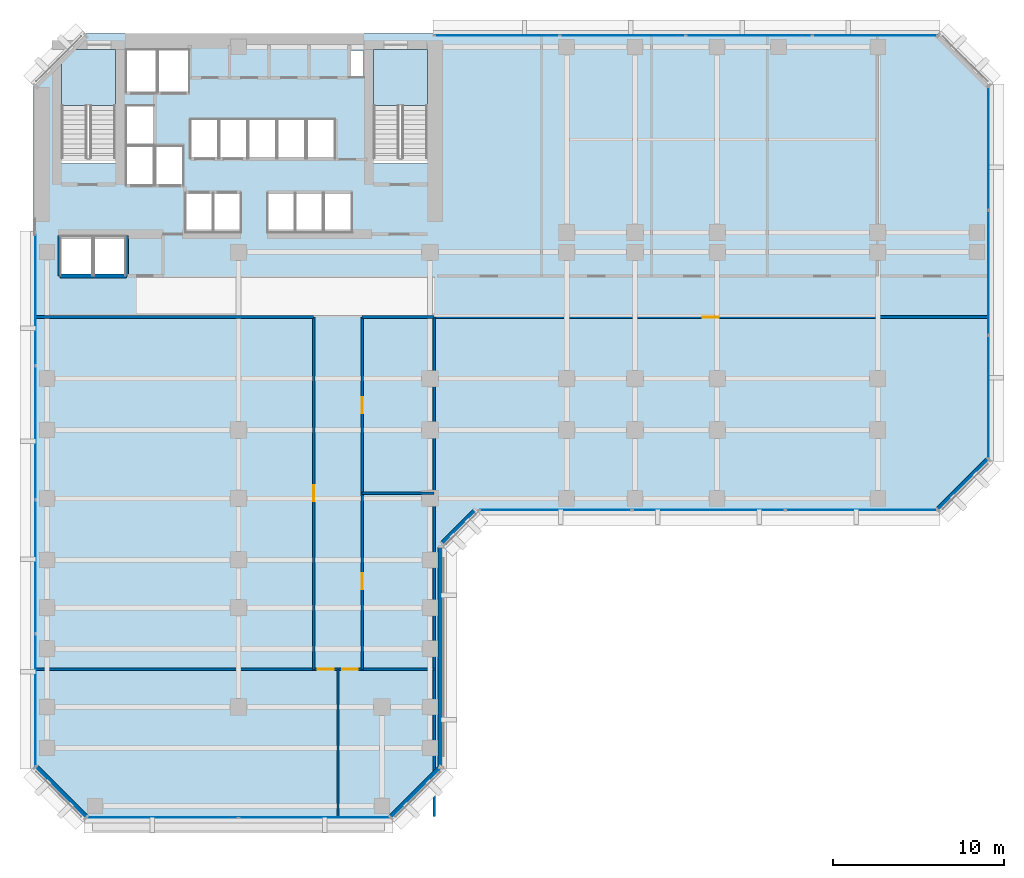
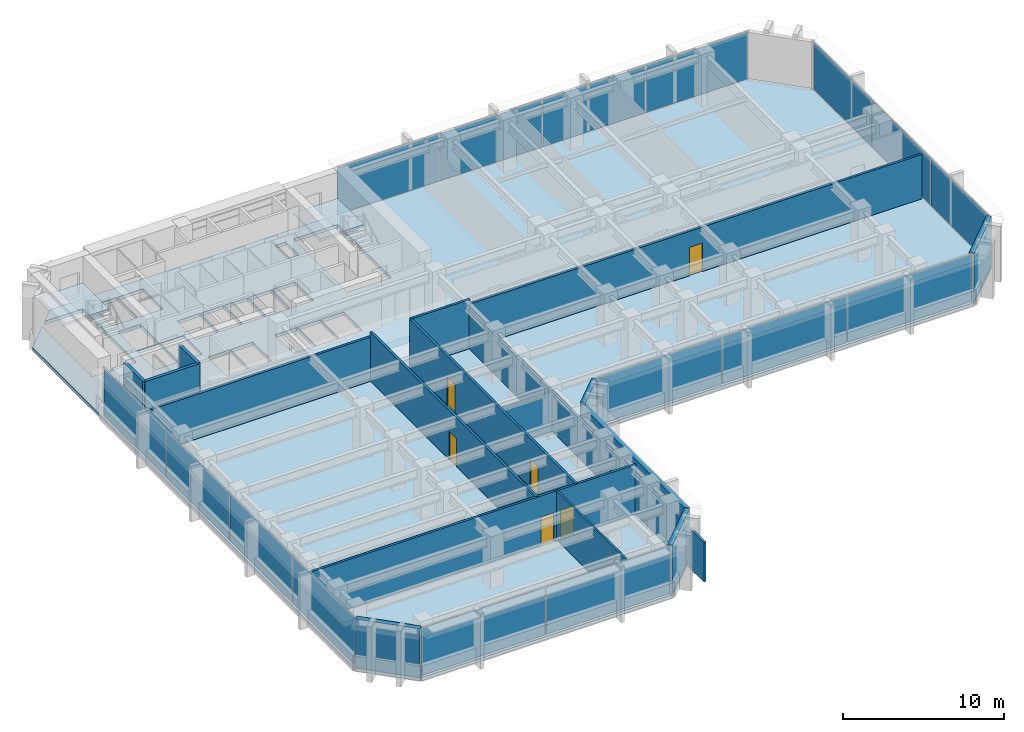
# One storey, part 6 of 13: 17 walls, 16 plates, 6 doors, 3 slabs, 6 openings, 7 elements without a shape of their own.
"""IFC4 building model written with IfcOpenShell, lengths in metres."""

from ifc_helpers import new_model, si_unit, direction, frame, frame_2d, origin, origin_2d, place, context, subcontext, project, spatial, polyline, rectangle, outline, extrude, material, layer, layer_set, type_object, element, fill, aggregate, save


model = new_model("IFC4")

# Units and contexts
model_context = context("Model", 3, precision=1e-05, world=origin(), true_north=direction((0.0, 1.0)))
body_context = subcontext(model_context, "Body", "Model", "MODEL_VIEW")
ifc_project = project(units=[si_unit("LENGTHUNIT", "METRE"), si_unit("AREAUNIT", "SQUARE_METRE"), si_unit("VOLUMEUNIT", "CUBIC_METRE"), si_unit("PLANEANGLEUNIT", "RADIAN"), si_unit("MASSUNIT", "GRAM", prefix="KILO")], contexts=[model_context])

# Site, building, storey
site_placement = place(None, origin())
site = spatial("IfcSite", under=ifc_project, at=site_placement, CompositionType="ELEMENT")
building_placement = place(site_placement, origin())
building = spatial("IfcBuilding", under=site, at=building_placement, Name="Kefirva Bronze Tower", CompositionType="ELEMENT")
storey_placement = place(building_placement, frame((0.0, 0.0, 73.919921875)))
storey = spatial("IfcBuildingStorey", under=building, at=storey_placement, Name="L17", CompositionType="ELEMENT", Elevation=73.919921875)

# Stair, slab
ifc_material_1 = material(Name="Concrete C40/50", Category="concrete")
stair_type = type_object("IfcStairType", Name="RC Dogleg Protected Stair 24R", PredefinedType="HALF_TURN_STAIR", material=ifc_material_1)
stair_1_placement = place(storey_placement, origin())
stair_1 = element("IfcStair", 1, at=stair_1_placement, inside=storey, type_object=stair_type, Name="L17 Protected Exit Stair 1", PredefinedType="HALF_TURN_STAIR")
ifc_layer_1 = layer(ifc_material_1, 0.199951171875, Name="Concrete C40/50")
ifc_layer_set_1 = layer_set([ifc_layer_1], Name="Concrete C40/50")
slab_type_1 = type_object("IfcSlabType", Name="RC Stair Landing Slab 200mm", PredefinedType="LANDING", material=ifc_layer_set_1)
slab_1_placement = place(storey_placement, frame((0.0, 0.0, 1.780029296875)))
slab_1 = element("IfcSlab", 2, at=slab_1_placement, type_object=slab_type_1, Name="ST-1 landing 1", PredefinedType="LANDING", context=body_context, shape_type="SweptSolid", body=[
    extrude(outline(polyline([(4.800048828125, 41.780029296875), (4.800048828125, 45.050048828125), (1.64990234375, 45.050048828125), (1.64990234375, 41.780029296875), (4.800048828125, 41.780029296875)])), origin(), (0.0, 0.0, 1.0), 0.199951171875),
])
aggregate(stair_1, [slab_1])

stair_2_placement = place(storey_placement, origin())
stair_2 = element("IfcStair", 3, at=stair_2_placement, inside=storey, type_object=stair_type, Name="L17 Protected Exit Stair 2", PredefinedType="HALF_TURN_STAIR")
slab_2_placement = place(storey_placement, frame((0.0, 0.0, 1.780029296875)))
slab_2 = element("IfcSlab", 4, at=slab_2_placement, type_object=slab_type_1, Name="ST-2 landing 1", PredefinedType="LANDING", context=body_context, shape_type="SweptSolid", body=[
    extrude(outline(polyline([(23.050048828125, 41.780029296875), (23.050048828125, 45.050048828125), (19.89990234375, 45.050048828125), (19.89990234375, 41.780029296875), (23.050048828125, 41.780029296875)])), origin(), (0.0, 0.0, 1.0), 0.199951171875),
])
aggregate(stair_2, [slab_2])

# Slab
ifc_layer_2 = layer(ifc_material_1, 0.25, Name="Concrete C40/50")
ifc_layer_set_2 = layer_set([ifc_layer_2], Name="Concrete C40/50")
slab_type_2 = type_object("IfcSlabType", Name="RC Tower Floor Slab 250mm", PredefinedType="FLOOR", material=ifc_layer_set_2)
slab_3_placement = place(storey_placement, frame((0.0, 0.0, -0.25)))
element("IfcSlab", 5, at=slab_3_placement, inside=storey, type_object=slab_type_2, Name="L17 Structural Floor Slab", PredefinedType="FLOOR", context=body_context, shape_type="SweptSolid", body=[
    extrude(outline(polyline([(0.0, 3.0), (0.0, 43.0), (1.64990234375, 44.64990234375), (1.64990234375, 38.39990234375), (4.800048828125, 38.39990234375), (4.800048828125, 45.050048828125), (2.050048828125, 45.050048828125), (3.0, 46.0), (53.0, 46.0), (56.0, 43.0), (56.0, 21.0), (53.0, 18.0), (26.0, 18.0), (24.0, 16.0), (24.0, 3.0), (21.0, 0.0), (3.0, 0.0), (0.0, 3.0)]), holes=[polyline([(19.89990234375, 38.39990234375), (23.050048828125, 38.39990234375), (23.050048828125, 45.050048828125), (19.89990234375, 45.050048828125), (19.89990234375, 38.39990234375)]), polyline([(18.52001953125, 43.419921875), (19.320068359375, 43.419921875), (19.320068359375, 45.0), (18.52001953125, 45.0), (18.52001953125, 43.419921875)]), polyline([(17.0, 34.35009765625), (18.64990234375, 34.35009765625), (18.64990234375, 36.64990234375), (17.0, 36.64990234375), (17.0, 34.35009765625)]), polyline([(17.64990234375, 38.679931640625), (17.64990234375, 40.97998046875), (16.0, 40.97998046875), (16.0, 38.679931640625), (17.64990234375, 38.679931640625)]), polyline([(16.949951171875, 34.35009765625), (16.949951171875, 36.64990234375), (15.35009765625, 36.64990234375), (15.35009765625, 34.35009765625), (16.949951171875, 34.35009765625)]), polyline([(15.929931640625, 38.679931640625), (15.929931640625, 40.97998046875), (14.300048828125, 40.97998046875), (14.300048828125, 38.679931640625), (15.929931640625, 38.679931640625)]), polyline([(15.300048828125, 34.35009765625), (15.300048828125, 36.64990234375), (13.699951171875, 36.64990234375), (13.699951171875, 34.35009765625), (15.300048828125, 34.35009765625)]), polyline([(14.22998046875, 38.679931640625), (14.22998046875, 40.97998046875), (12.60009765625, 40.97998046875), (12.60009765625, 38.679931640625), (14.22998046875, 38.679931640625)]), polyline([(10.89990234375, 38.679931640625), (12.530029296875, 38.679931640625), (12.530029296875, 40.97998046875), (10.89990234375, 40.97998046875), (10.89990234375, 38.679931640625)]), polyline([(12.139892578125, 34.35009765625), (12.139892578125, 36.64990234375), (10.5400390625, 36.64990234375), (10.5400390625, 34.35009765625), (12.139892578125, 34.35009765625)]), polyline([(10.830078125, 38.679931640625), (10.830078125, 40.97998046875), (9.199951171875, 40.97998046875), (9.199951171875, 38.679931640625), (10.830078125, 38.679931640625)]), polyline([(10.5, 34.35009765625), (10.5, 36.64990234375), (8.89990234375, 36.64990234375), (8.89990234375, 34.35009765625), (10.5, 34.35009765625)]), polyline([(7.300048828125, 42.550048828125), (9.1201171875, 42.550048828125), (9.1201171875, 45.050048828125), (7.300048828125, 45.050048828125), (7.300048828125, 42.550048828125)]), polyline([(7.139892578125, 37.10009765625), (8.780029296875, 37.10009765625), (8.780029296875, 39.39990234375), (7.139892578125, 39.39990234375), (7.139892578125, 37.10009765625)]), polyline([(5.419921875, 42.550048828125), (7.239990234375, 42.550048828125), (7.239990234375, 45.050048828125), (5.419921875, 45.050048828125), (5.419921875, 42.550048828125)]), polyline([(7.06005859375, 39.47998046875), (7.06005859375, 41.780029296875), (5.419921875, 41.780029296875), (5.419921875, 39.47998046875), (7.06005859375, 39.47998046875)]), polyline([(5.419921875, 37.10009765625), (7.06005859375, 37.10009765625), (7.06005859375, 39.39990234375), (5.419921875, 39.39990234375), (5.419921875, 37.10009765625)]), polyline([(5.39990234375, 31.85009765625), (5.39990234375, 34.14990234375), (3.550048828125, 34.14990234375), (3.550048828125, 31.85009765625), (5.39990234375, 31.85009765625)]), polyline([(3.449951171875, 31.85009765625), (3.449951171875, 34.14990234375), (1.60009765625, 34.14990234375), (1.60009765625, 31.85009765625), (3.449951171875, 31.85009765625)])]), origin(), (0.0, 0.0, 1.0), 0.25),
])

# Curtain wall, plates
ifc_material_2 = material(Name="Bronze anodised aluminium", Category="aluminium")
ifc_layer_3 = layer(ifc_material_2, 0.199951171875, Name="Bronze anodised aluminium")
ifc_layer_set_3 = layer_set([ifc_layer_3], Name="Bronze anodised aluminium")
curtain_wall_type = type_object("IfcCurtainWallType", Name="Unitised Bronze Ribbon Curtain Wall Zone 1", PredefinedType="USERDEFINED", material=ifc_layer_set_3)
curtain_wall_1_placement = place(storey_placement, origin())
curtain_wall_1 = element("IfcCurtainWall", 6, at=curtain_wall_1_placement, inside=storey, type_object=curtain_wall_type, Name="L17 Curtain Wall 1", ObjectType="UNITISED CURTAIN WALL", PredefinedType="USERDEFINED")
ifc_material_3 = material(Name="Laminated low-E double glazing", Category="glass")
ifc_layer_4 = layer(ifc_material_3, 0.031982421875, Name="Laminated low-E double glazing")
ifc_layer_set_4 = layer_set([ifc_layer_4], Name="Laminated low-E double glazing")
plate_type = type_object("IfcPlateType", Name="Solar-Control Low-E Vision Panel 32mm", PredefinedType="CURTAIN_PANEL", material=ifc_layer_set_4)
plate_1_placement = place(storey_placement, frame((7.546142578125, 0.1201171875, 0.074951171875), z_axis=(0.0, 0.0, 1.0), x_axis=(1.0, 0.0, 0.0)))
plate_1 = element("IfcPlate", 7, at=plate_1_placement, type_object=plate_type, Name="CW-01 panel 1.1", PredefinedType="CURTAIN_PANEL", context=body_context, shape_type="SweptSolid", body=[
    extrude(rectangle(XDim=8.83251953125, YDim=0.031982421875, at=origin_2d()), origin(), (0.0, 0.0, 1.0), 3.56005859375),
])
plate_2_placement = place(storey_placement, frame((16.453857421875, 0.1201171875, 0.074951171875), z_axis=(0.0, 0.0, 1.0), x_axis=(1.0, 0.0, 0.0)))
plate_2 = element("IfcPlate", 8, at=plate_2_placement, type_object=plate_type, Name="CW-01 panel 2.1", PredefinedType="CURTAIN_PANEL", context=body_context, shape_type="SweptSolid", body=[
    extrude(rectangle(XDim=8.83251953125, YDim=0.031982421875, at=origin_2d()), origin(), (0.0, 0.0, 1.0), 3.56005859375),
])
aggregate(curtain_wall_1, [plate_1, plate_2])

curtain_wall_2_placement = place(storey_placement, origin())
curtain_wall_2 = element("IfcCurtainWall", 9, at=curtain_wall_2_placement, inside=storey, type_object=curtain_wall_type, Name="L17 Curtain Wall 2", ObjectType="UNITISED CURTAIN WALL", PredefinedType="USERDEFINED")
plate_3_placement = place(storey_placement, frame((30.555419921875, 18.1201171875, 0.074951171875), z_axis=(0.0, 0.0, 1.0), x_axis=(1.0, 0.0, 0.0)))
plate_3 = element("IfcPlate", 10, at=plate_3_placement, type_object=plate_type, Name="CW-01 panel 1.1", PredefinedType="CURTAIN_PANEL", context=body_context, shape_type="SweptSolid", body=[
    extrude(rectangle(XDim=8.850830078125, YDim=0.031982421875, at=origin_2d()), origin(), (0.0, 0.0, 1.0), 3.56005859375),
])
plate_4_placement = place(storey_placement, frame((39.5, 18.1201171875, 0.074951171875), z_axis=(0.0, 0.0, 1.0), x_axis=(1.0, 0.0, 0.0)))
plate_4 = element("IfcPlate", 11, at=plate_4_placement, type_object=plate_type, Name="CW-01 panel 2.1", PredefinedType="CURTAIN_PANEL", context=body_context, shape_type="SweptSolid", body=[
    extrude(rectangle(XDim=8.888427734375, YDim=0.031982421875, at=origin_2d()), origin(), (0.0, 0.0, 1.0), 3.56005859375),
])
plate_5_placement = place(storey_placement, frame((48.444580078125, 18.1201171875, 0.074951171875), z_axis=(0.0, 0.0, 1.0), x_axis=(1.0, 0.0, 0.0)))
plate_5 = element("IfcPlate", 12, at=plate_5_placement, type_object=plate_type, Name="CW-01 panel 3.1", PredefinedType="CURTAIN_PANEL", context=body_context, shape_type="SweptSolid", body=[
    extrude(rectangle(XDim=8.850830078125, YDim=0.031982421875, at=origin_2d()), origin(), (0.0, 0.0, 1.0), 3.56005859375),
])
aggregate(curtain_wall_2, [plate_3, plate_4, plate_5])

curtain_wall_3_placement = place(storey_placement, origin())
curtain_wall_3 = element("IfcCurtainWall", 13, at=curtain_wall_3_placement, inside=storey, type_object=curtain_wall_type, Name="L17 Curtain Wall 3", ObjectType="UNITISED CURTAIN WALL", PredefinedType="USERDEFINED")
plate_6_placement = place(storey_placement, frame((55.8798828125, 24.72216796875, 0.074951171875), z_axis=(0.0, 0.0, 1.0), x_axis=(0.0, 1.0, 0.0)))
plate_6 = element("IfcPlate", 14, at=plate_6_placement, type_object=plate_type, Name="CW-01 panel 1.1", PredefinedType="CURTAIN_PANEL", context=body_context, shape_type="SweptSolid", body=[
    extrude(rectangle(XDim=7.18408203125, YDim=0.031982421875, at=origin_2d()), origin(), (0.0, 0.0, 1.0), 3.56005859375),
])
plate_7_placement = place(storey_placement, frame((55.8798828125, 32.0, 0.074951171875), z_axis=(0.0, 0.0, 1.0), x_axis=(0.0, 1.0, 0.0)))
plate_7 = element("IfcPlate", 15, at=plate_7_placement, type_object=plate_type, Name="CW-01 panel 2.1", PredefinedType="CURTAIN_PANEL", context=body_context, shape_type="SweptSolid", body=[
    extrude(rectangle(XDim=7.2216796875, YDim=0.031982421875, at=origin_2d()), origin(), (0.0, 0.0, 1.0), 3.56005859375),
])
plate_8_placement = place(storey_placement, frame((55.8798828125, 39.27783203125, 0.074951171875), z_axis=(0.0, 0.0, 1.0), x_axis=(0.0, 1.0, 0.0)))
plate_8 = element("IfcPlate", 16, at=plate_8_placement, type_object=plate_type, Name="CW-01 panel 3.1", PredefinedType="CURTAIN_PANEL", context=body_context, shape_type="SweptSolid", body=[
    extrude(rectangle(XDim=7.18408203125, YDim=0.031982421875, at=origin_2d()), origin(), (0.0, 0.0, 1.0), 3.56005859375),
])
aggregate(curtain_wall_3, [plate_6, plate_7, plate_8])

curtain_wall_4_placement = place(storey_placement, origin())
curtain_wall_4 = element("IfcCurtainWall", 17, at=curtain_wall_4_placement, inside=storey, type_object=curtain_wall_type, Name="L17 Curtain Wall 4", ObjectType="UNITISED CURTAIN WALL", PredefinedType="USERDEFINED")
plate_9_placement = place(storey_placement, frame((49.233642578125, 45.8798828125, 0.074951171875), z_axis=(0.0, 0.0, 1.0), x_axis=(-1.0, 0.0, 0.0)))
plate_9 = element("IfcPlate", 18, at=plate_9_placement, type_object=plate_type, Name="CW-01 panel 1.1", PredefinedType="CURTAIN_PANEL", context=body_context, shape_type="SweptSolid", body=[
    extrude(rectangle(XDim=7.2724609375, YDim=0.031982421875, at=origin_2d()), origin(), (0.0, 0.0, 1.0), 3.56005859375),
])
plate_10_placement = place(storey_placement, frame((41.867431640625, 45.8798828125, 0.074951171875), z_axis=(0.0, 0.0, 1.0), x_axis=(-1.0, 0.0, 0.0)))
plate_10 = element("IfcPlate", 19, at=plate_10_placement, type_object=plate_type, Name="CW-01 panel 2.1", PredefinedType="CURTAIN_PANEL", context=body_context, shape_type="SweptSolid", body=[
    extrude(rectangle(XDim=7.31005859375, YDim=0.031982421875, at=origin_2d()), origin(), (0.0, 0.0, 1.0), 3.56005859375),
])
plate_11_placement = place(storey_placement, frame((34.482421875, 45.8798828125, 0.074951171875), z_axis=(0.0, 0.0, 1.0), x_axis=(-1.0, 0.0, 0.0)))
plate_11 = element("IfcPlate", 20, at=plate_11_placement, type_object=plate_type, Name="CW-01 panel 3.1", PredefinedType="CURTAIN_PANEL", context=body_context, shape_type="SweptSolid", body=[
    extrude(rectangle(XDim=7.31005859375, YDim=0.031982421875, at=origin_2d()), origin(), (0.0, 0.0, 1.0), 3.56005859375),
])
plate_12_placement = place(storey_placement, frame((27.1162109375, 45.8798828125, 0.074951171875), z_axis=(0.0, 0.0, 1.0), x_axis=(-1.0, 0.0, 0.0)))
plate_12 = element("IfcPlate", 21, at=plate_12_placement, type_object=plate_type, Name="CW-01 panel 4.1", PredefinedType="CURTAIN_PANEL", context=body_context, shape_type="SweptSolid", body=[
    extrude(rectangle(XDim=7.2724609375, YDim=0.031982421875, at=origin_2d()), origin(), (0.0, 0.0, 1.0), 3.56005859375),
])
aggregate(curtain_wall_4, [plate_9, plate_10, plate_11, plate_12])

curtain_wall_5_placement = place(storey_placement, origin())
curtain_wall_5 = element("IfcCurtainWall", 22, at=curtain_wall_5_placement, inside=storey, type_object=curtain_wall_type, Name="L17 Curtain Wall 5", ObjectType="UNITISED CURTAIN WALL", PredefinedType="USERDEFINED")
plate_13_placement = place(storey_placement, frame((0.1201171875, 30.458740234375, 0.074951171875), z_axis=(0.0, 0.0, 1.0), x_axis=(0.0, -1.0, 0.0)))
plate_13 = element("IfcPlate", 23, at=plate_13_placement, type_object=plate_type, Name="CW-01 panel 1.1", PredefinedType="CURTAIN_PANEL", context=body_context, shape_type="SweptSolid", body=[
    extrude(rectangle(XDim=7.722412109375, YDim=0.031982421875, at=origin_2d()), origin(), (0.0, 0.0, 1.0), 3.56005859375),
])
plate_14_placement = place(storey_placement, frame((0.1201171875, 22.642578125, 0.074951171875), z_axis=(0.0, 0.0, 1.0), x_axis=(0.0, -1.0, 0.0)))
plate_14 = element("IfcPlate", 24, at=plate_14_placement, type_object=plate_type, Name="CW-01 panel 2.1", PredefinedType="CURTAIN_PANEL", context=body_context, shape_type="SweptSolid", body=[
    extrude(rectangle(XDim=7.760009765625, YDim=0.031982421875, at=origin_2d()), origin(), (0.0, 0.0, 1.0), 3.56005859375),
])
plate_15_placement = place(storey_placement, frame((0.1201171875, 14.8076171875, 0.074951171875), z_axis=(0.0, 0.0, 1.0), x_axis=(0.0, -1.0, 0.0)))
plate_15 = element("IfcPlate", 25, at=plate_15_placement, type_object=plate_type, Name="CW-01 panel 3.1", PredefinedType="CURTAIN_PANEL", context=body_context, shape_type="SweptSolid", body=[
    extrude(rectangle(XDim=7.760009765625, YDim=0.031982421875, at=origin_2d()), origin(), (0.0, 0.0, 1.0), 3.56005859375),
])
plate_16_placement = place(storey_placement, frame((0.1201171875, 6.9912109375, 0.074951171875), z_axis=(0.0, 0.0, 1.0), x_axis=(0.0, -1.0, 0.0)))
plate_16 = element("IfcPlate", 26, at=plate_16_placement, type_object=plate_type, Name="CW-01 panel 4.1", PredefinedType="CURTAIN_PANEL", context=body_context, shape_type="SweptSolid", body=[
    extrude(rectangle(XDim=7.722412109375, YDim=0.031982421875, at=origin_2d()), origin(), (0.0, 0.0, 1.0), 3.56005859375),
])
aggregate(curtain_wall_5, [plate_13, plate_14, plate_15, plate_16])

# Walls
ifc_material_4 = material(Name="Gypsum acoustic partition")
ifc_layer_5 = layer(ifc_material_4, 0.1298828125, Name="Gypsum acoustic partition")
ifc_layer_set_5 = layer_set([ifc_layer_5], Name="Gypsum acoustic partition")
wall_type_1 = type_object("IfcWallType", Name="Acoustic Office Partition 130mm", PredefinedType="PARTITIONING", material=ifc_layer_set_5)
wall_1_placement = place(storey_placement, frame((17.820068359375, 0.18994140625, 0.0), z_axis=(0.0, 0.0, 1.0), x_axis=(0.0, 1.0, 0.0)))
element("IfcWall", 27, at=wall_1_placement, inside=storey, type_object=wall_type_1, Name="L17 Partition W-L17-CAPDV", PredefinedType="PARTITIONING", context=body_context, shape_type="SweptSolid", body=[
    extrude(rectangle(XDim=8.610107421875, YDim=0.1298828125, at=frame_2d((4.30517578125, 0.0))), origin(), (0.0, 0.0, 1.0), 3.7099609375),
])
wall_2_placement = place(storey_placement, frame((19.239990234375, 19.10009765625, 0.0), z_axis=(0.0, 0.0, 1.0), x_axis=(1.0, 0.0, 0.0)))
element("IfcWall", 28, at=wall_2_placement, inside=storey, type_object=wall_type_1, Name="L17 Partition W-L17-SED1", PredefinedType="PARTITIONING", context=body_context, shape_type="SweptSolid", body=[
    extrude(rectangle(XDim=4.2099609375, YDim=0.1298828125, at=frame_2d((2.10498046875, 0.0))), origin(), (0.0, 0.0, 1.0), 2.9951171875),
])
ifc_material_5 = material(Name="Gypsum fireboard shaftwall")
ifc_layer_6 = layer(ifc_material_5, 0.219970703125, Name="Gypsum fireboard shaftwall")
ifc_layer_set_6 = layer_set([ifc_layer_6], Name="Gypsum fireboard shaftwall")
wall_type_2 = type_object("IfcWallType", Name="Fire-Rated Shaft Enclosure Wall 220mm", PredefinedType="PARTITIONING", material=ifc_layer_set_6)
wall_3_placement = place(storey_placement, frame((1.550048828125, 31.800048828125, 0.0), z_axis=(0.0, 0.0, 1.0), x_axis=(1.0, 0.0, 0.0)))
element("IfcWall", 29, at=wall_3_placement, inside=storey, type_object=wall_type_2, Name="L17 Partition W-L17-OBS", PredefinedType="PARTITIONING", context=body_context, shape_type="SweptSolid", body=[
    extrude(rectangle(XDim=3.89990234375, YDim=0.219970703125, at=frame_2d((1.949951171875, 0.0))), origin(), (0.0, 0.0, 1.0), 3.7099609375),
])
for number, where, z_axis, x_axis, name in (
    (30, (1.550048828125, 31.800048828125, 0.0), (0.0, 0.0, 1.0), (0.0, 1.0, 0.0), "L17 Partition W-L17-OBW"),
    (31, (5.449951171875, 31.800048828125, 0.0), (0.0, 0.0, 1.0), (0.0, 1.0, 0.0), "L17 Partition W-L17-OBE"),
):
    element("IfcWall", number, at=place(storey_placement, frame(where, z_axis=z_axis, x_axis=x_axis)), inside=storey, type_object=wall_type_2, Name=name, PredefinedType="PARTITIONING", context=body_context, shape_type="SweptSolid", body=[
        extrude(rectangle(XDim=2.3798828125, YDim=0.219970703125, at=frame_2d((1.18994140625, 0.0))), origin(), (0.0, 0.0, 1.0), 3.7099609375),
    ])
ifc_material_6 = material(Name="Precast concrete C40/50", Category="concrete")
ifc_layer_7 = layer(ifc_material_6, 0.320068359375, Name="Precast concrete C40/50")
ifc_layer_set_7 = layer_set([ifc_layer_7], Name="Precast concrete C40/50")
wall_type_3 = type_object("IfcWallType", Name="Precast Insulated Exterior Wall 320mm", PredefinedType="SOLIDWALL", material=ifc_layer_set_7)
wall_4_placement = place(storey_placement, frame((20.92578125, 0.152099609375, 0.0), z_axis=(0.0, 0.0, 1.0), x_axis=(0.707106781187, 0.707106781187, 0.0)))
element("IfcWall", 32, at=wall_4_placement, inside=storey, type_object=wall_type_3, Name="L17 Exterior Facade Wall 1", PredefinedType="SOLIDWALL", context=body_context, shape_type="SweptSolid", body=[
    extrude(rectangle(XDim=4.132568359375, YDim=0.320068359375, at=frame_2d((2.06640625, 0.0))), origin(), (0.0, 0.0, 1.0), 3.7099609375),
])
wall_5_placement = place(storey_placement, frame((23.840087890625, 3.054931640625, 0.0), z_axis=(0.0, 0.0, 1.0), x_axis=(0.0, 1.0, 0.0)))
element("IfcWall", 33, at=wall_5_placement, inside=storey, type_object=wall_type_3, Name="L17 Exterior Facade Wall 2", PredefinedType="SOLIDWALL", context=body_context, shape_type="SweptSolid", body=[
    extrude(rectangle(XDim=12.89013671875, YDim=0.320068359375, at=frame_2d((6.445068359375, 0.0))), origin(), (0.0, 0.0, 1.0), 3.7099609375),
])
wall_6_placement = place(storey_placement, frame((23.92578125, 16.152099609375, 0.0), z_axis=(0.0, 0.0, 1.0), x_axis=(0.707106781187, 0.707106781187, 0.0)))
element("IfcWall", 34, at=wall_6_placement, inside=storey, type_object=wall_type_3, Name="L17 Exterior Facade Wall 3", PredefinedType="SOLIDWALL", context=body_context, shape_type="SweptSolid", body=[
    extrude(rectangle(XDim=2.71826171875, YDim=0.320068359375, at=frame_2d((1.359130859375, 0.0))), origin(), (0.0, 0.0, 1.0), 3.7099609375),
])
for number, where, z_axis, x_axis, name in (
    (35, (52.92578125, 18.152099609375, 0.0), (0.0, 0.0, 1.0), (0.707106781187, 0.707106781187, 0.0), "L17 Exterior Facade Wall 4"),
    (36, (0.152099609375, 3.07421875, 0.0), (0.0, 0.0, 1.0), (0.707106781187, -0.707106781187, 0.0), "L17 Exterior Facade Wall 7"),
):
    element("IfcWall", number, at=place(storey_placement, frame(where, z_axis=z_axis, x_axis=x_axis)), inside=storey, type_object=wall_type_3, Name=name, PredefinedType="SOLIDWALL", context=body_context, shape_type="SweptSolid", body=[
        extrude(rectangle(XDim=4.132568359375, YDim=0.320068359375, at=frame_2d((2.06640625, 0.0))), origin(), (0.0, 0.0, 1.0), 3.7099609375),
    ])

# Wall, opening, door
ifc_layer_8 = layer(ifc_material_4, 0.159912109375, Name="Gypsum acoustic partition")
ifc_layer_set_8 = layer_set([ifc_layer_8], Name="Gypsum acoustic partition")
wall_type_4 = type_object("IfcWallType", Name="Protected Corridor Partition 160mm", PredefinedType="PARTITIONING", material=ifc_layer_set_8)
wall_7_placement = place(storey_placement, frame((16.39990234375, 8.800048828125, 0.0), z_axis=(0.0, 0.0, 1.0), x_axis=(0.0, 1.0, 0.0)))
wall_7 = element("IfcWall", 37, at=wall_7_placement, inside=storey, type_object=wall_type_4, Name="L17 Partition W-L17-SWCORW", PredefinedType="PARTITIONING", context=body_context, shape_type="SweptSolid", body=[
    extrude(rectangle(XDim=20.599853515625, YDim=0.159912109375, at=frame_2d((10.2998046875, 0.0))), origin(), (0.0, 0.0, 1.0), 3.7099609375),
])
opening_1_placement = place(wall_7_placement, frame((10.77490234375, 0.0, 0.0), z_axis=(0.0, 0.0, 1.0), x_axis=(-1.0, 0.0, 0.0)))
opening_1 = element("IfcOpeningElement", 38, at=opening_1_placement, cuts=wall_7, Name="Opening L17-D-SW1", PredefinedType="OPENING", context=body_context, shape_type="SweptSolid", body=[
    extrude(rectangle(XDim=0.949951171875, YDim=2.14990234375, at=frame_2d((0.47509765625, 1.074951171875))), frame((0.0, 0.08984375, 0.0), z_axis=(0.0, -1.0, 0.0), x_axis=(1.0, 0.0, 0.0)), (0.0, 0.0, 1.0), 0.179931640625),
])
ifc_material_7 = material(Name="Acoustic hardwood oak", Category="wood")
door_type_1 = type_object("IfcDoorType", Name="Office & Meeting Room Door 950x2150", OperationType="NOTDEFINED", PredefinedType="DOOR", material=ifc_material_7)
door_1_placement = place(opening_1_placement, origin())
door_1 = element("IfcDoor", 39, at=door_1_placement, inside=storey, type_object=door_type_1, Name="Door L17-D-SW1", OperationType="SINGLE_SWING_LEFT", OverallHeight=2.14990234375, OverallWidth=0.949951171875, PredefinedType="DOOR", context=body_context, shape_type="SweptSolid", body=[
    extrude(rectangle(XDim=0.949951171875, YDim=2.14990234375, at=frame_2d((0.47509765625, 1.074951171875))), frame((0.0, 0.02490234375, 0.0), z_axis=(0.0, -1.0, 0.0), x_axis=(1.0, 0.0, 0.0)), (0.0, 0.0, 1.0), 0.050048828125),
])
fill(opening_1, door_1)

# Wall, openings, doors
wall_8_placement = place(storey_placement, frame((19.239990234375, 8.800048828125, 0.0), z_axis=(0.0, 0.0, 1.0), x_axis=(0.0, 1.0, 0.0)))
wall_8 = element("IfcWall", 40, at=wall_8_placement, inside=storey, type_object=wall_type_4, Name="L17 Partition W-L17-SECORE", PredefinedType="PARTITIONING", context=body_context, shape_type="SweptSolid", body=[
    extrude(rectangle(XDim=20.599853515625, YDim=0.159912109375, at=frame_2d((10.2998046875, 0.0))), origin(), (0.0, 0.0, 1.0), 3.7099609375),
])
opening_2_placement = place(wall_8_placement, frame((4.675048828125, 0.0, 0.0)))
opening_2 = element("IfcOpeningElement", 41, at=opening_2_placement, cuts=wall_8, Name="Opening L17-D-SE1", PredefinedType="OPENING", context=body_context, shape_type="SweptSolid", body=[
    extrude(rectangle(XDim=0.949951171875, YDim=2.14990234375, at=frame_2d((0.47509765625, 1.074951171875))), frame((0.0, 0.08984375, 0.0), z_axis=(0.0, -1.0, 0.0), x_axis=(1.0, 0.0, 0.0)), (0.0, 0.0, 1.0), 0.179931640625),
])
opening_3_placement = place(wall_8_placement, frame((14.97509765625, 0.0, 0.0)))
opening_3 = element("IfcOpeningElement", 42, at=opening_3_placement, cuts=wall_8, Name="Opening L17-D-SE2", PredefinedType="OPENING", context=body_context, shape_type="SweptSolid", body=[
    extrude(rectangle(XDim=0.949951171875, YDim=2.14990234375, at=frame_2d((0.47509765625, 1.074951171875))), frame((0.0, 0.08984375, 0.0), z_axis=(0.0, -1.0, 0.0), x_axis=(1.0, 0.0, 0.0)), (0.0, 0.0, 1.0), 0.179931640625),
])
door_2_placement = place(opening_2_placement, origin())
door_2 = element("IfcDoor", 43, at=door_2_placement, inside=storey, type_object=door_type_1, Name="Door L17-D-SE1", OperationType="SINGLE_SWING_RIGHT", OverallHeight=2.14990234375, OverallWidth=0.949951171875, PredefinedType="DOOR", context=body_context, shape_type="SweptSolid", body=[
    extrude(rectangle(XDim=0.949951171875, YDim=2.14990234375, at=frame_2d((0.47509765625, 1.074951171875))), frame((0.0, 0.02490234375, 0.0), z_axis=(0.0, -1.0, 0.0), x_axis=(1.0, 0.0, 0.0)), (0.0, 0.0, 1.0), 0.050048828125),
])
fill(opening_2, door_2)
door_3_placement = place(opening_3_placement, origin())
door_3 = element("IfcDoor", 44, at=door_3_placement, inside=storey, type_object=door_type_1, Name="Door L17-D-SE2", OperationType="SINGLE_SWING_LEFT", OverallHeight=2.14990234375, OverallWidth=0.949951171875, PredefinedType="DOOR", context=body_context, shape_type="SweptSolid", body=[
    extrude(rectangle(XDim=0.949951171875, YDim=2.14990234375, at=frame_2d((0.47509765625, 1.074951171875))), frame((0.0, 0.02490234375, 0.0), z_axis=(0.0, -1.0, 0.0), x_axis=(1.0, 0.0, 0.0)), (0.0, 0.0, 1.0), 0.050048828125),
])
fill(opening_3, door_3)

wall_9_placement = place(storey_placement, frame((0.18994140625, 8.800048828125, 0.0), z_axis=(0.0, 0.0, 1.0), x_axis=(1.0, 0.0, 0.0)))
wall_9 = element("IfcWall", 45, at=wall_9_placement, inside=storey, type_object=wall_type_4, Name="L17 Partition W-L17-SBEND", PredefinedType="PARTITIONING", context=body_context, shape_type="SweptSolid", body=[
    extrude(rectangle(XDim=23.260009765625, YDim=0.159912109375, at=frame_2d((11.6298828125, 0.0))), origin(), (0.0, 0.0, 1.0), 3.7099609375),
])
opening_4_placement = place(wall_9_placement, frame((16.4599609375, 0.0, 0.0)))
opening_4 = element("IfcOpeningElement", 46, at=opening_4_placement, cuts=wall_9, Name="Opening L17-D-SEND1", PredefinedType="OPENING", context=body_context, shape_type="SweptSolid", body=[
    extrude(rectangle(XDim=0.919921875, YDim=2.10009765625, at=frame_2d((0.4599609375, 1.050048828125))), frame((0.0, 0.08984375, 0.0), z_axis=(0.0, -1.0, 0.0), x_axis=(1.0, 0.0, 0.0)), (0.0, 0.0, 1.0), 0.179931640625),
])
opening_5_placement = place(wall_9_placement, frame((17.8798828125, 0.0, 0.0)))
opening_5 = element("IfcOpeningElement", 47, at=opening_5_placement, cuts=wall_9, Name="Opening L17-D-SEND2", PredefinedType="OPENING", context=body_context, shape_type="SweptSolid", body=[
    extrude(rectangle(XDim=0.919921875, YDim=2.10009765625, at=frame_2d((0.4599609375, 1.050048828125))), frame((0.0, 0.08984375, 0.0), z_axis=(0.0, -1.0, 0.0), x_axis=(1.0, 0.0, 0.0)), (0.0, 0.0, 1.0), 0.179931640625),
])
ifc_material_8 = material(Name="Moisture-resistant timber", Category="wood")
door_type_2 = type_object("IfcDoorType", Name="Accessible Sanitary & WC Door 920x2100", OperationType="NOTDEFINED", PredefinedType="DOOR", material=ifc_material_8)
door_4_placement = place(opening_4_placement, origin())
door_4 = element("IfcDoor", 48, at=door_4_placement, inside=storey, type_object=door_type_2, Name="Door L17-D-SEND1", OperationType="SINGLE_SWING_LEFT", OverallHeight=2.10009765625, OverallWidth=0.919921875, PredefinedType="DOOR", context=body_context, shape_type="SweptSolid", body=[
    extrude(rectangle(XDim=0.919921875, YDim=2.10009765625, at=frame_2d((0.4599609375, 1.050048828125))), frame((0.0, 0.02490234375, 0.0), z_axis=(0.0, -1.0, 0.0), x_axis=(1.0, 0.0, 0.0)), (0.0, 0.0, 1.0), 0.050048828125),
])
fill(opening_4, door_4)
door_5_placement = place(opening_5_placement, origin())
door_5 = element("IfcDoor", 49, at=door_5_placement, inside=storey, type_object=door_type_2, Name="Door L17-D-SEND2", OperationType="SINGLE_SWING_RIGHT", OverallHeight=2.10009765625, OverallWidth=0.919921875, PredefinedType="DOOR", context=body_context, shape_type="SweptSolid", body=[
    extrude(rectangle(XDim=0.919921875, YDim=2.10009765625, at=frame_2d((0.4599609375, 1.050048828125))), frame((0.0, 0.02490234375, 0.0), z_axis=(0.0, -1.0, 0.0), x_axis=(1.0, 0.0, 0.0)), (0.0, 0.0, 1.0), 0.050048828125),
])
fill(opening_5, door_5)

# Walls
wall_10_placement = place(storey_placement, frame((0.18994140625, 29.39990234375, 0.0), z_axis=(0.0, 0.0, 1.0), x_axis=(1.0, 0.0, 0.0)))
element("IfcWall", 50, at=wall_10_placement, inside=storey, type_object=wall_type_4, Name="L17 Partition W-L17-NWT", PredefinedType="PARTITIONING", context=body_context, shape_type="SweptSolid", body=[
    extrude(rectangle(XDim=16.2099609375, YDim=0.159912109375, at=frame_2d((8.10498046875, 0.0))), origin(), (0.0, 0.0, 1.0), 3.364990234375),
])
wall_11_placement = place(storey_placement, frame((19.239990234375, 29.39990234375, 0.0), z_axis=(0.0, 0.0, 1.0), x_axis=(1.0, 0.0, 0.0)))
element("IfcWall", 51, at=wall_11_placement, inside=storey, type_object=wall_type_4, Name="L17 Partition W-L17-NET", PredefinedType="PARTITIONING", context=body_context, shape_type="SweptSolid", body=[
    extrude(rectangle(XDim=4.2099609375, YDim=0.159912109375, at=frame_2d((2.10498046875, 0.0))), origin(), (0.0, 0.0, 1.0), 3.7099609375),
])
wall_12_placement = place(storey_placement, frame((23.449951171875, 0.18994140625, 0.0), z_axis=(0.0, 0.0, 1.0), x_axis=(0.0, 1.0, 0.0)))
element("IfcWall", 52, at=wall_12_placement, inside=storey, type_object=wall_type_4, Name="L17 Partition W-L17-SWEAST", PredefinedType="PARTITIONING", context=body_context, shape_type="SweptSolid", body=[
    extrude(rectangle(XDim=29.2099609375, YDim=0.159912109375, at=frame_2d((14.60498046875, 0.0))), origin(), (0.0, 0.0, 1.0), 2.9951171875),
])

# Wall, opening, door
wall_13_placement = place(storey_placement, frame((23.449951171875, 29.39990234375, 0.0), z_axis=(0.0, 0.0, 1.0), x_axis=(1.0, 0.0, 0.0)))
wall_13 = element("IfcWall", 53, at=wall_13_placement, inside=storey, type_object=wall_type_4, Name="L17 Partition W-L17-EWS", PredefinedType="PARTITIONING", context=body_context, shape_type="SweptSolid", body=[
    extrude(rectangle(XDim=32.360107421875, YDim=0.159912109375, at=frame_2d((16.18017578125, 0.0))), origin(), (0.0, 0.0, 1.0), 3.364990234375),
])
opening_6_placement = place(wall_13_placement, frame((16.655029296875, 0.0, 0.0), z_axis=(0.0, 0.0, 1.0), x_axis=(-1.0, 0.0, 0.0)))
opening_6 = element("IfcOpeningElement", 54, at=opening_6_placement, cuts=wall_13, Name="Opening L17-D-ES1", PredefinedType="OPENING", context=body_context, shape_type="SweptSolid", body=[
    extrude(rectangle(XDim=0.949951171875, YDim=2.14990234375, at=frame_2d((0.47509765625, 1.074951171875))), frame((0.0, 0.08984375, 0.0), z_axis=(0.0, -1.0, 0.0), x_axis=(1.0, 0.0, 0.0)), (0.0, 0.0, 1.0), 0.179931640625),
])
door_6_placement = place(opening_6_placement, origin())
door_6 = element("IfcDoor", 55, at=door_6_placement, inside=storey, type_object=door_type_1, Name="Door L17-D-ES1", OperationType="SINGLE_SWING_RIGHT", OverallHeight=2.14990234375, OverallWidth=0.949951171875, PredefinedType="DOOR", context=body_context, shape_type="SweptSolid", body=[
    extrude(rectangle(XDim=0.949951171875, YDim=2.14990234375, at=frame_2d((0.47509765625, 1.074951171875))), frame((0.0, 0.02490234375, 0.0), z_axis=(0.0, -1.0, 0.0), x_axis=(1.0, 0.0, 0.0)), (0.0, 0.0, 1.0), 0.050048828125),
])
fill(opening_6, door_6)

save(model, "model.ifc")
